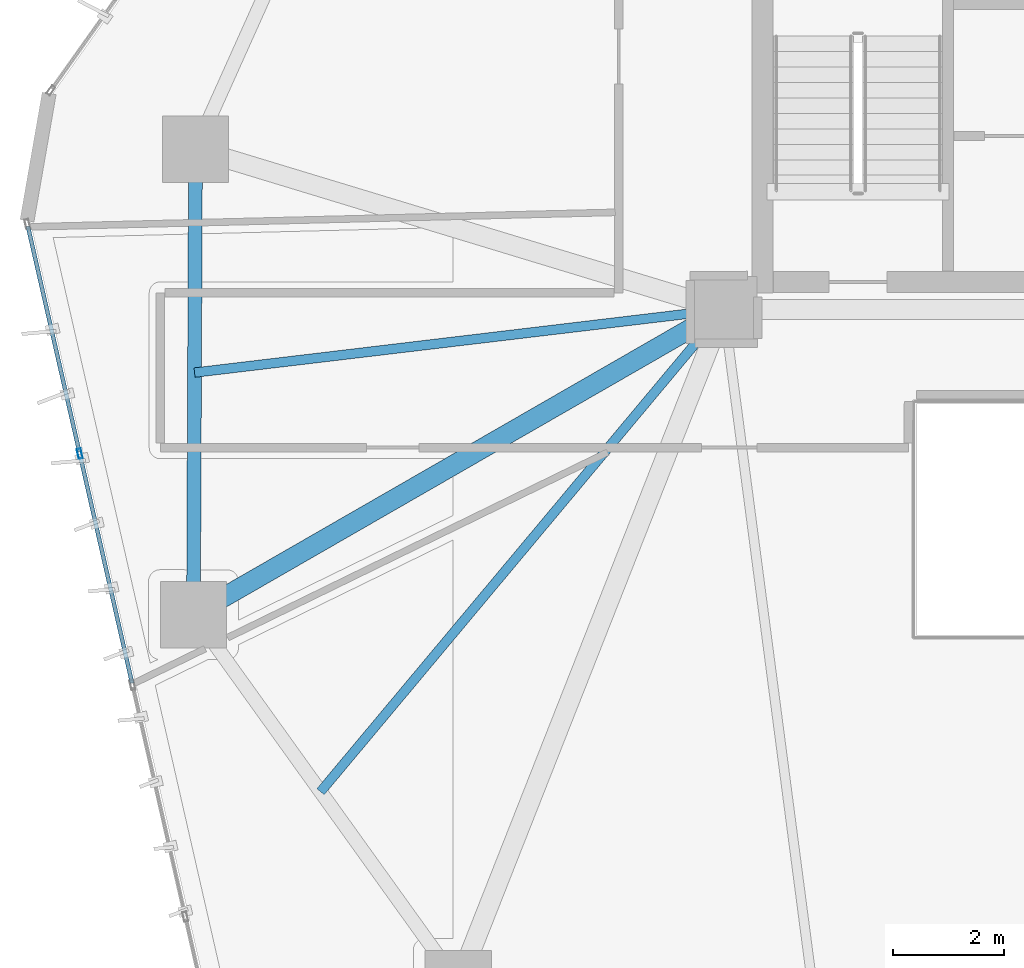
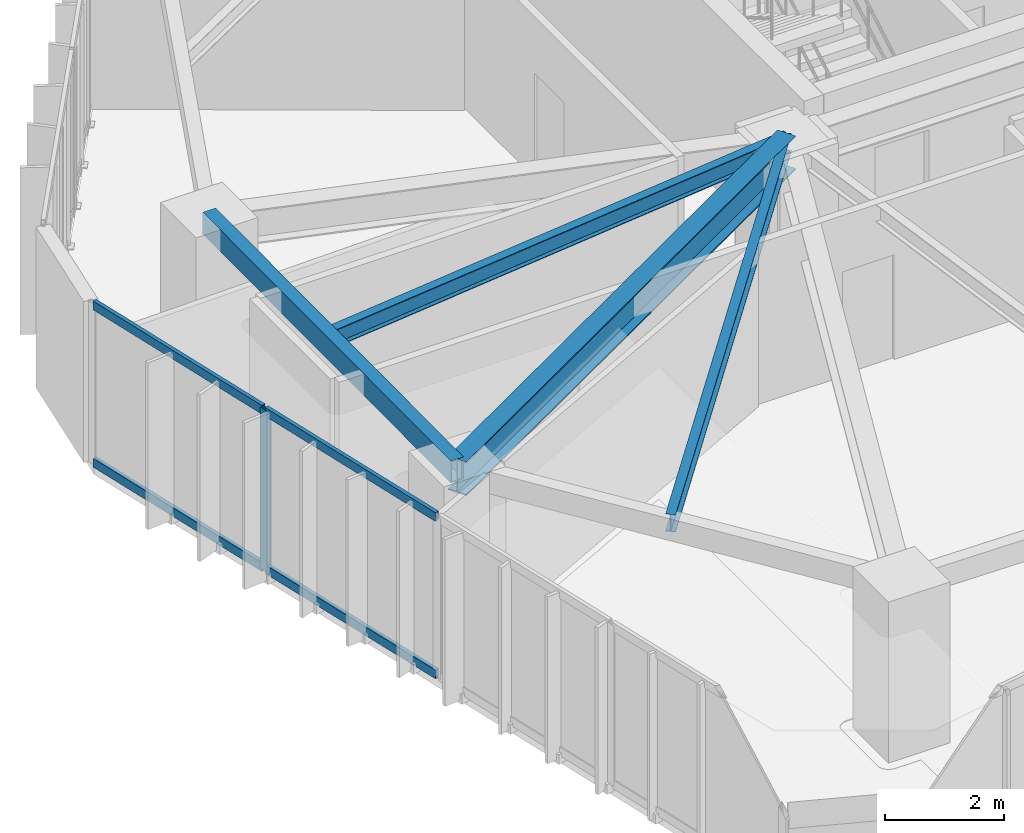
# One storey, part 4 of 22: 5 members, 4 beams, 1 element without a shape of its own.
"""IFC4 building model written with IfcOpenShell, lengths in metres."""

from ifc_helpers import new_model, si_unit, direction, frame, origin, origin_2d, place, context, subcontext, project, spatial, hollow_rectangle, i_section, extrude, source, transform, mapped, material, layer, layer_set, material_profile, profile_set, type_object, type_shapes, element, aggregate, save


model = new_model("IFC4")

# Units and contexts
model_context = context("Model", 3, precision=1e-05, world=origin(), true_north=direction((0.0, 1.0)))
body_context = subcontext(model_context, "Body", "Model", "MODEL_VIEW")
ifc_project = project(units=[si_unit("LENGTHUNIT", "METRE"), si_unit("AREAUNIT", "SQUARE_METRE"), si_unit("VOLUMEUNIT", "CUBIC_METRE"), si_unit("PLANEANGLEUNIT", "RADIAN"), si_unit("MASSUNIT", "GRAM", prefix="KILO")], contexts=[model_context])

# Site, building, storey
site_placement = place(None, origin())
site = spatial("IfcSite", under=ifc_project, at=site_placement, CompositionType="ELEMENT")
building_placement = place(site_placement, origin())
building = spatial("IfcBuilding", under=site, at=building_placement, Name="Talar Marvaseh", CompositionType="ELEMENT")
storey_placement = place(building_placement, frame((0.0, 0.0, 121.800048828125)))
storey = spatial("IfcBuildingStorey", under=building, at=storey_placement, Name="L31", CompositionType="ELEMENT", Elevation=121.800048828125)

# Beams
ifc_material_1 = material(Name="Steel S355", Category="steel")
ifc_material_profile_1 = material_profile(ifc_material_1, hollow_rectangle(XDim=0.25, YDim=0.449951171875, WallThickness=0.01611328125, at=origin_2d()), Name="RHS450x250x16")
ifc_profile_set_1 = profile_set([ifc_material_profile_1], Name="Steel S355")
beam_type_1 = type_object("IfcBeamType", Name="Zone 2 Perimeter Spandrel Beam RHS450x250x16", PredefinedType="SPANDREL", material=ifc_profile_set_1)
beam_1_placement = place(storey_placement, frame((9.10107421875, 19.97705078125, 3.0849609375), z_axis=(0.004375628226, 0.999990426893, 0.0), x_axis=(-0.999990426893, 0.004375628226, 0.0)))
element("IfcBeam", 1, at=beam_1_placement, inside=storey, type_object=beam_type_1, Name="L31 Zone 2 Perimeter Spandrel Beam RHS450x250x16", PredefinedType="SPANDREL", context=body_context, shape_type="SweptSolid", body=[
    extrude(hollow_rectangle(XDim=0.25, YDim=0.449951171875, WallThickness=0.01611328125, at=origin_2d()), origin(), (0.0, 0.0, 1.0), 8.425048828125),
])
ifc_material_profile_2 = material_profile(ifc_material_1, i_section(OverallWidth=0.35498046875, OverallDepth=0.695068359375, WebThickness=0.015380859375, FlangeThickness=0.02490234375, at=origin_2d()), Name="W690x217")
ifc_profile_set_2 = profile_set([ifc_material_profile_2], Name="Steel S355")
beam_type_2 = type_object("IfcBeamType", Name="Zone 2 Radial Floor Girder W690x217", PredefinedType="BEAM", material=ifc_profile_set_2)
beam_2_placement = place(storey_placement, frame((9.10107421875, 19.97705078125, 2.96240234375), z_axis=(0.866765990926, 0.498715065919, 0.0), x_axis=(-0.498715065919, 0.866765990926, 0.0)))
element("IfcBeam", 2, at=beam_2_placement, inside=storey, type_object=beam_type_2, Name="L31 Zone 2 Radial Floor Girder W690x217", PredefinedType="BEAM", context=body_context, shape_type="SweptSolid", body=[
    extrude(i_section(OverallWidth=0.35498046875, OverallDepth=0.695068359375, WebThickness=0.015380859375, FlangeThickness=0.02490234375, at=origin_2d()), origin(), (0.0, 0.0, 1.0), 11.074462890625),
])
ifc_material_profile_3 = material_profile(ifc_material_1, i_section(OverallWidth=0.172119140625, OverallDepth=0.35791015625, WebThickness=0.0078125, FlangeThickness=0.01318359375, at=origin_2d()), Name="W360x57")
ifc_profile_set_3 = profile_set([ifc_material_profile_3], Name="Steel S355")
beam_type_3 = type_object("IfcBeamType", Name="Zone 2 Secondary Floor Joist W360x57", PredefinedType="JOIST", material=ifc_profile_set_3)
beam_3_placement = place(storey_placement, frame((11.400146484375, 16.771484375, 3.130859375), z_axis=(0.641534082313, 0.767094532135, 0.0), x_axis=(-0.767094532135, 0.641534082313, 0.0)))
element("IfcBeam", 3, at=beam_3_placement, inside=storey, type_object=beam_type_3, Name="L31 Zone 2 Secondary Floor Joist W360x57", PredefinedType="JOIST", context=body_context, shape_type="SweptSolid", body=[
    extrude(i_section(OverallWidth=0.172119140625, OverallDepth=0.35791015625, WebThickness=0.0078125, FlangeThickness=0.01318359375, at=origin_2d()), origin(), (0.0, 0.0, 1.0), 11.378662109375),
])
beam_4_placement = place(storey_placement, frame((9.1201171875, 24.35791015625, 3.130859375), z_axis=(0.992968386245, 0.118379829018, 0.0), x_axis=(-0.118379829018, 0.992968386245, 0.0)))
element("IfcBeam", 4, at=beam_4_placement, inside=storey, type_object=beam_type_3, Name="L31 Zone 2 Secondary Floor Joist W360x57", PredefinedType="JOIST", context=body_context, shape_type="SweptSolid", body=[
    extrude(i_section(OverallWidth=0.172119140625, OverallDepth=0.35791015625, WebThickness=0.0078125, FlangeThickness=0.01318359375, at=origin_2d()), origin(), (0.0, 0.0, 1.0), 9.647705078125),
])

# Curtain wall, members
ifc_material_2 = material(Name="Architectural Aluminium", Category="aluminium")
ifc_layer = layer(ifc_material_2, 0.199951171875)
ifc_layer_set = layer_set([ifc_layer], Name="Architectural Aluminium")
curtain_wall_type = type_object("IfcCurtainWallType", Name="Unitised Acoustic Library Curtain Wall Z2", PredefinedType="NOTDEFINED", material=ifc_layer_set)
curtain_wall_placement = place(storey_placement, origin())
curtain_wall = element("IfcCurtainWall", 5, at=curtain_wall_placement, inside=storey, type_object=curtain_wall_type, Name="L31 Unitised Acoustic Library Curtain Wall Z2", PredefinedType="NOTDEFINED")
ifc_material_profile_4 = material_profile(ifc_material_2, hollow_rectangle(XDim=0.074951171875, YDim=0.179931640625, WallThickness=0.0048828125, at=origin_2d()), Name="RHS180x75x5")
ifc_profile_set_4 = profile_set([ifc_material_profile_4], Name="Architectural Aluminium")
member_type_1 = type_object("IfcMemberType", Name="Unitised Curtain Wall Standard Mullion RHS180x75x5", PredefinedType="MULLION", material=ifc_profile_set_4)
shared_shape_1 = source(origin(), body_context, "Body", "SweptSolid", [
    extrude(hollow_rectangle(XDim=0.074951171875, YDim=0.179931640625, WallThickness=0.0048828125, at=origin_2d()), origin(), (0.0, 0.0, 1.0), 3.31005859375),
])
type_shapes(member_type_1, [shared_shape_1])
member_1_placement = place(storey_placement, frame((7.042724609375, 22.890869140625, 0.0), z_axis=(0.0, 0.0, 1.0), x_axis=(-0.974970261082, -0.222335309848, 0.0)))
member_1 = element("IfcMember", 6, at=member_1_placement, type_object=member_type_1, Name="CW-Z2 mullion 4", PredefinedType="MULLION", context=body_context, shape_type="MappedRepresentation", body=[
    mapped(shared_shape_1, transform((0.0, 0.0, 0.0), x_axis=(1.0, 0.0, 0.0), y_axis=(0.0, 1.0, 0.0), z_axis=(0.0, 0.0, 1.0), scale=1.0)),
])
ifc_material_profile_5 = material_profile(ifc_material_2, hollow_rectangle(XDim=0.074951171875, YDim=0.179931640625, WallThickness=0.0048828125, at=origin_2d()), Name="RHS180x75x5")
ifc_profile_set_5 = profile_set([ifc_material_profile_5], Name="Architectural Aluminium")
member_type_2 = type_object("IfcMemberType", Name="Unitised Curtain Wall Transom RHS180x75x5", PredefinedType="USERDEFINED", material=ifc_profile_set_5)
shared_shape_2 = source(origin(), body_context, "Body", "SweptSolid", [
    extrude(hollow_rectangle(XDim=0.074951171875, YDim=0.179931640625, WallThickness=0.0048828125, at=origin_2d()), origin(), (0.0, 0.0, 1.0), 4.185302734375),
])
member_2_placement = place(storey_placement, frame((7.034423828125, 22.927490234375, 0.037353515625), z_axis=(-0.222362282312, 0.974964109803, 0.0), x_axis=(-0.974964109803, -0.222362282312, 0.0)))
member_2 = element("IfcMember", 7, at=member_2_placement, type_object=member_type_2, Name="CW-Z2 transom 4.1", ObjectType="TRANSOM", PredefinedType="USERDEFINED", context=body_context, shape_type="MappedRepresentation", body=[
    mapped(shared_shape_2, transform((0.0, 0.0, 0.0), x_axis=(1.0, 0.0, 0.0), y_axis=(0.0, 1.0, 0.0), z_axis=(0.0, 0.0, 1.0), scale=1.0)),
])
member_3_placement = place(storey_placement, frame((7.034423828125, 22.927490234375, 3.2724609375), z_axis=(-0.222362282312, 0.974964109803, 0.0), x_axis=(-0.974964109803, -0.222362282312, 0.0)))
member_3 = element("IfcMember", 8, at=member_3_placement, type_object=member_type_2, Name="CW-Z2 transom 4.2", ObjectType="TRANSOM", PredefinedType="USERDEFINED", context=body_context, shape_type="MappedRepresentation", body=[
    mapped(shared_shape_2, transform((0.0, 0.0, 0.0), x_axis=(1.0, 0.0, 0.0), y_axis=(0.0, 1.0, 0.0), z_axis=(0.0, 0.0, 1.0), scale=1.0)),
])
shared_shape_3 = source(origin(), body_context, "Body", "SweptSolid", [
    extrude(hollow_rectangle(XDim=0.074951171875, YDim=0.179931640625, WallThickness=0.0048828125, at=origin_2d()), origin(), (0.0, 0.0, 1.0), 4.222900390625),
])
type_shapes(member_type_2, [shared_shape_2, shared_shape_3])
member_4_placement = place(storey_placement, frame((7.989990234375, 18.7373046875, 0.037353515625), z_axis=(-0.222350695538, 0.974966752353, 0.0), x_axis=(-0.974966752353, -0.222350695538, 0.0)))
member_4 = element("IfcMember", 9, at=member_4_placement, type_object=member_type_2, Name="CW-Z2 transom 3.1", ObjectType="TRANSOM", PredefinedType="USERDEFINED", context=body_context, shape_type="MappedRepresentation", body=[
    mapped(shared_shape_3, transform((0.0, 0.0, 0.0), x_axis=(1.0, 0.0, 0.0), y_axis=(0.0, 1.0, 0.0), z_axis=(0.0, 0.0, 1.0), scale=1.0)),
])
member_5_placement = place(storey_placement, frame((7.989990234375, 18.7373046875, 3.2724609375), z_axis=(-0.222350695538, 0.974966752353, 0.0), x_axis=(-0.974966752353, -0.222350695538, 0.0)))
member_5 = element("IfcMember", 10, at=member_5_placement, type_object=member_type_2, Name="CW-Z2 transom 3.2", ObjectType="TRANSOM", PredefinedType="USERDEFINED", context=body_context, shape_type="MappedRepresentation", body=[
    mapped(shared_shape_3, transform((0.0, 0.0, 0.0), x_axis=(1.0, 0.0, 0.0), y_axis=(0.0, 1.0, 0.0), z_axis=(0.0, 0.0, 1.0), scale=1.0)),
])
aggregate(curtain_wall, [member_1, member_4, member_5, member_2, member_3])

save(model, "model.ifc")
